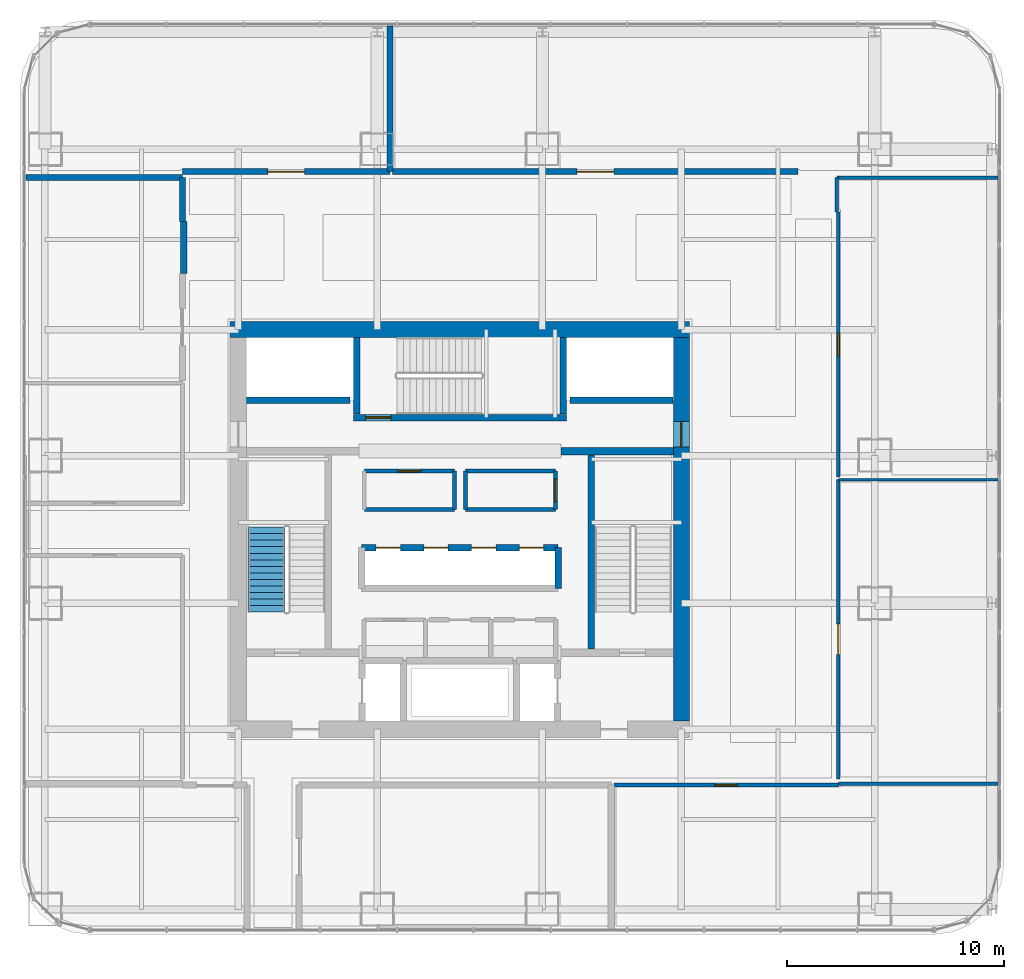
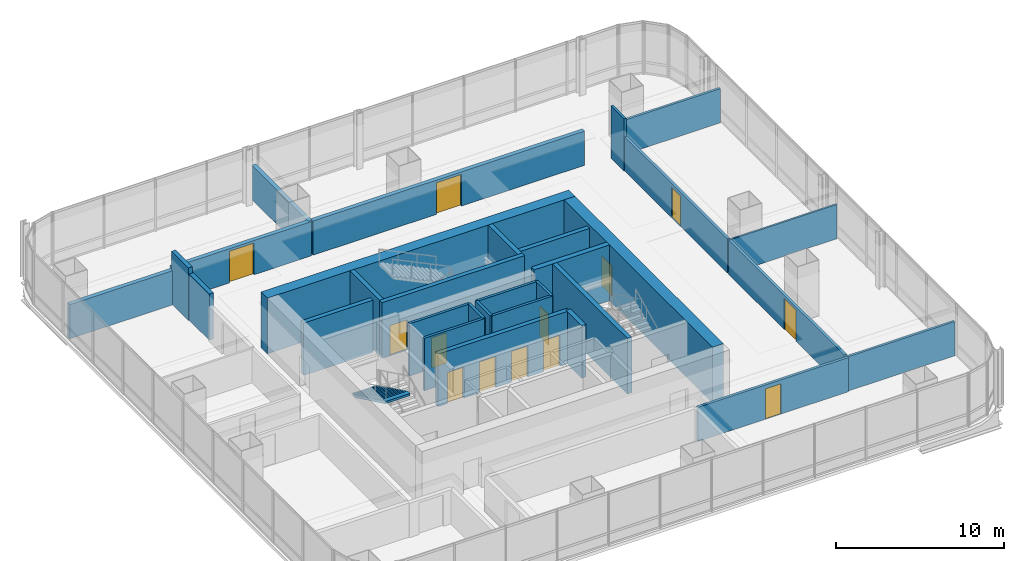
# One storey, part 28 of 34: 31 walls, 13 doors, 1 stair flight, 13 openings, 1 element without a shape of its own.
"""IFC4 building model written with IfcOpenShell, lengths in metres."""

import ifcopenshell
import ifcopenshell.guid

model = None  # the IFC model being written
_history = None  # IfcOwnerHistory: only IFC2X3 demands one
_inside = {}  # id of a spatial element -> (the spatial element, [elements in it])
_under = {}  # id of a project, library or spatial element -> (it, [spatial elements below it])
_declared = {}  # id of a project -> (the project, [libraries it declares])
_typed = {}  # id of a type object -> (the type object, [elements of that type])
_made_of = {}  # id of a material, layer set ... -> (it, [elements and type objects made of it])


def new_model(schema):
    """Start an empty IFC model of exactly this schema.

    Asked for "IFC4X3", IfcOpenShell would pick the latest addendum, in which some entities
    have other attributes; the version numbers below select the first issue.
    IFC2X3 requires an IfcOwnerHistory on every rooted entity: one is made here for all.
    """
    global model, _history
    if schema == "IFC4X3":
        model = ifcopenshell.file(schema_version=(4, 3, 0, 0))
    else:
        model = ifcopenshell.file(schema=schema)
    _inside.clear()
    _under.clear()
    _declared.clear()
    _typed.clear()
    _made_of.clear()
    _history = None
    if model.schema == "IFC2X3":
        org = make("IfcOrganization", Name="unknown")
        user = make(
            "IfcPersonAndOrganization",
            ThePerson=make("IfcPerson", FamilyName="unknown"),
            TheOrganization=org,
        )
        app = make(
            "IfcApplication",
            ApplicationDeveloper=org,
            Version="unknown",
            ApplicationFullName="unknown",
            ApplicationIdentifier="unknown",
        )
        _history = make(
            "IfcOwnerHistory",
            OwningUser=user,
            OwningApplication=app,
            ChangeAction="ADDED",
            CreationDate=0,
        )
    return model


def make(cls, **values):
    """One entity of the class cls with the attributes given. An attribute that is None is left unset."""
    return model.create_entity(
        cls, **{name: value for name, value in values.items() if value is not None}
    )


def rooted(cls, **values):
    """An entity with a GlobalId (a new one), such as an element, a storey or a relation."""
    return make(cls, GlobalId=ifcopenshell.guid.new(), OwnerHistory=_history, **values)


def si_unit(unit_type, name, prefix=None):
    """IfcSIUnit, for example si_unit("LENGTHUNIT", "METRE", prefix="MILLI")."""
    return make("IfcSIUnit", UnitType=unit_type, Prefix=prefix, Name=name)


def assignment(units):
    """IfcUnitAssignment: the units of a project."""
    return None if units is None else make("IfcUnitAssignment", Units=units)


def point(xyz):
    """IfcCartesianPoint."""
    return None if xyz is None else make("IfcCartesianPoint", Coordinates=xyz)


def direction(xyz):
    """IfcDirection."""
    return None if xyz is None else make("IfcDirection", DirectionRatios=xyz)


def frame(location, z_axis=None, x_axis=None):
    """IfcAxis2Placement3D, a coordinate frame: its origin and axes. An axis left out is left unset."""
    return make(
        "IfcAxis2Placement3D",
        Location=point(location),
        Axis=direction(z_axis),
        RefDirection=direction(x_axis),
    )


def frame_2d(location, x_axis=None):
    """IfcAxis2Placement2D, a coordinate frame in the plane: its origin and x axis."""
    return make(
        "IfcAxis2Placement2D", Location=point(location), RefDirection=direction(x_axis)
    )


def origin():
    """The frame at (0, 0, 0) with its axes left unset."""
    return frame((0.0, 0.0, 0.0))


def place(relative_to, where):
    """IfcLocalPlacement: puts the frame where relative to a parent placement (None: the world)."""
    return make(
        "IfcLocalPlacement", PlacementRelTo=relative_to, RelativePlacement=where
    )


def context(
    kind, dimensions, precision=None, world=None, true_north=None, identifier=None
):
    """IfcGeometricRepresentationContext, for example the 3D "Model" context."""
    return make(
        "IfcGeometricRepresentationContext",
        ContextIdentifier=identifier,
        ContextType=kind,
        CoordinateSpaceDimension=dimensions,
        Precision=precision,
        WorldCoordinateSystem=world,
        TrueNorth=true_north,
    )


def subcontext(parent, identifier, kind, view, scale=None):
    """IfcGeometricRepresentationSubContext, for example "Body" below "Model"."""
    return make(
        "IfcGeometricRepresentationSubContext",
        ContextIdentifier=identifier,
        ContextType=kind,
        ParentContext=parent,
        TargetScale=scale,
        TargetView=view,
    )


def project(units=None, contexts=None):
    """IfcProject with its units and contexts."""
    return rooted(
        "IfcProject",
        Name="project",
        RepresentationContexts=contexts,
        UnitsInContext=assignment(units),
    )


def spatial(cls, under=None, at=None, **own):
    """A site, building, storey or space (cls), placed at a placement, below another one or the project."""
    s = rooted(cls, ObjectPlacement=at, **own)
    if under is not None:
        _under.setdefault(under.id(), (under, []))[1].append(s)
    return s


def polyline(points):
    """IfcPolyline through the points."""
    return make("IfcPolyline", Points=[point(p) for p in points])


def profile(cls, at=None, kind="AREA", **sizes):
    """A parametric profile (cls). Its sizes go by their IFC names, for example OverallWidth=200.0."""
    return make(cls, ProfileType=kind, Position=at, **sizes)


def rectangle(**sizes):
    """IfcRectangleProfileDef."""
    return profile("IfcRectangleProfileDef", **sizes)


def outline(outer, holes=None, kind="AREA"):
    """IfcArbitraryClosedProfileDef: a profile drawn as a closed curve; with holes, ...WithVoids."""
    if holes is None:
        return make("IfcArbitraryClosedProfileDef", ProfileType=kind, OuterCurve=outer)
    return make(
        "IfcArbitraryProfileDefWithVoids",
        ProfileType=kind,
        OuterCurve=outer,
        InnerCurves=holes,
    )


def extrude(swept, where, along, depth):
    """IfcExtrudedAreaSolid: the profile swept, set in the frame where, extruded along a direction by depth."""
    return make(
        "IfcExtrudedAreaSolid",
        SweptArea=swept,
        Position=where,
        ExtrudedDirection=direction(along),
        Depth=depth,
    )


def shape(context_of_items, identifier, shape_type, items):
    """IfcShapeRepresentation: the items that make up one representation, for example the "Body"."""
    return make(
        "IfcShapeRepresentation",
        ContextOfItems=context_of_items,
        RepresentationIdentifier=identifier,
        RepresentationType=shape_type,
        Items=items,
    )


def material(Name=None, Category=None):
    """IfcMaterial."""
    return make("IfcMaterial", Name=Name, Category=Category)


def layer(
    of_material, thickness, ventilated=None, Name=None, Category=None, Priority=None
):
    """IfcMaterialLayer: one layer of a wall or slab, of a material (None: an air gap)."""
    return make(
        "IfcMaterialLayer",
        Material=of_material,
        LayerThickness=thickness,
        IsVentilated=ventilated,
        Name=Name,
        Category=Category,
        Priority=Priority,
    )


def layer_set(layers, Name=None):
    """IfcMaterialLayerSet."""
    return make("IfcMaterialLayerSet", MaterialLayers=layers, LayerSetName=Name)


def made_of(thing, what):
    """Note that an element or type object is made of a material, layer set ...; save() writes the relation."""
    if what is not None:
        _made_of.setdefault(what.id(), (what, []))[1].append(thing)
    return thing


def type_object(cls, material=None, **own):
    """A type object (cls), such as IfcWallType, which elements share."""
    return made_of(rooted(cls, **own), material)


def element(
    cls,
    number,
    at=None,
    inside=None,
    cuts=None,
    type_object=None,
    material=None,
    context=None,
    identifier="Body",
    shape_type=None,
    held_by="IfcProductDefinitionShape",
    body=None,
    shapes=None,
    **own,
):
    """One element of the class cls, such as IfcWall. Its Tag is "e" and its number.

    at: its placement. inside: the storey or other place that contains it. cuts: it is an
    opening in that element (IfcRelVoidsElement). A single representation is given by context,
    identifier, shape_type and body (its items); several are given by shapes. held_by: the class
    of the entity that holds the representations. save() writes the other relations.
    """
    e = rooted(cls, Tag="e%d" % number, ObjectPlacement=at, **own)
    if body is not None:
        shapes = [shape(context, identifier, shape_type, body)]
    if shapes is not None:
        e.Representation = make(held_by, Representations=shapes)
    if inside is not None:
        _inside.setdefault(inside.id(), (inside, []))[1].append(e)
    if cuts is not None:
        rooted(
            "IfcRelVoidsElement", RelatingBuildingElement=cuts, RelatedOpeningElement=e
        )
    if type_object is not None:
        _typed.setdefault(type_object.id(), (type_object, []))[1].append(e)
    return made_of(e, material)


def fill(opening, filler):
    """IfcRelFillsElement: the door or window that sits in an opening."""
    return rooted(
        "IfcRelFillsElement",
        RelatingOpeningElement=opening,
        RelatedBuildingElement=filler,
    )


def aggregate(whole, parts):
    """IfcRelAggregates: a whole, such as a stair, and the parts it consists of."""
    return rooted("IfcRelAggregates", RelatingObject=whole, RelatedObjects=parts)


def save(model, path):
    """Write the relations noted so far, then the file.

    IfcRelAggregates (storeys below a building ...), IfcRelContainedInSpatialStructure (elements
    in a storey), IfcRelDefinesByType, IfcRelAssociatesMaterial and IfcRelDeclares: one each for
    every whole, place, type object, material and project.
    """
    for whole, parts in _under.values():
        aggregate(whole, parts)
    for where, things in _inside.values():
        rooted(
            "IfcRelContainedInSpatialStructure",
            RelatedElements=things,
            RelatingStructure=where,
        )
    for kind, things in _typed.values():
        rooted("IfcRelDefinesByType", RelatedObjects=things, RelatingType=kind)
    for what, things in _made_of.values():
        rooted("IfcRelAssociatesMaterial", RelatedObjects=things, RelatingMaterial=what)
    for by, libraries in _declared.values():
        rooted("IfcRelDeclares", RelatingContext=by, RelatedDefinitions=libraries)
    model.write(path)


model = new_model("IFC4")

# Units and contexts
model_context = context("Model", 3, precision=1e-05, world=origin(), true_north=direction((0.0, 1.0)))
body_context = subcontext(model_context, "Body", "Model", "MODEL_VIEW")
ifc_project = project(units=[si_unit("LENGTHUNIT", "METRE"), si_unit("AREAUNIT", "SQUARE_METRE"), si_unit("VOLUMEUNIT", "CUBIC_METRE"), si_unit("PLANEANGLEUNIT", "RADIAN"), si_unit("MASSUNIT", "GRAM", prefix="KILO")], contexts=[model_context])

# Site, building, storey
site_placement = place(None, origin())
site = spatial("IfcSite", under=ifc_project, at=site_placement, CompositionType="ELEMENT")
building_placement = place(site_placement, origin())
building = spatial("IfcBuilding", under=site, at=building_placement, Name="Punatoya Terracotta Tower", CompositionType="ELEMENT")
storey_placement = place(building_placement, frame((0.0, 0.0, 105.14990234375)))
storey = spatial("IfcBuildingStorey", under=building, at=storey_placement, Name="L24", CompositionType="ELEMENT", Elevation=105.14990234375)

# Walls
ifc_material_1 = material(Name="Concrete C40/50", Category="concrete")
ifc_layer_1 = layer(ifc_material_1, 0.280029296875)
ifc_layer_set_1 = layer_set([ifc_layer_1], Name="Concrete C40/50")
wall_type_1 = type_object("IfcWallType", Name="WL-AUD-280", PredefinedType="SOLIDWALL", material=ifc_layer_set_1)
wall_1_placement = place(storey_placement, frame((-12.7099609375, 14.179931640625, 0.0), z_axis=(0.0, 0.0, 1.0), x_axis=(0.0, -1.0, 0.0)))
element("IfcWall", 1, at=wall_1_placement, inside=storey, type_object=wall_type_1, Name="L24 Waterfront Club Lounge Partition 34", PredefinedType="SOLIDWALL", context=body_context, shape_type="SweptSolid", body=[
    extrude(rectangle(XDim=2.409912109375, YDim=0.280029296875, at=frame_2d((1.205078125, 0.0))), origin(), (0.0, 0.0, 1.0), 3.35400390625),
])
wall_2_placement = place(storey_placement, frame((-19.969970703125, 16.18994140625, 0.0), z_axis=(0.0, 0.0, 1.0), x_axis=(1.0, 0.0, 0.0)))
element("IfcWall", 2, at=wall_2_placement, inside=storey, type_object=wall_type_1, Name="L24 Waterfront Club Lounge Partition 36", PredefinedType="SOLIDWALL", context=body_context, shape_type="SweptSolid", body=[
    extrude(rectangle(XDim=7.199951171875, YDim=0.280029296875, at=frame_2d((3.60009765625, 0.0))), origin(), (0.0, 0.0, 1.0), 2.484130859375),
])
wall_3_placement = place(storey_placement, frame((-12.77001953125, 16.18994140625, 0.0), z_axis=(0.0, 0.0, 1.0), x_axis=(0.0, -1.0, 0.0)))
element("IfcWall", 3, at=wall_3_placement, inside=storey, type_object=wall_type_1, Name="L24 Waterfront Club Lounge Partition 37", PredefinedType="SOLIDWALL", context=body_context, shape_type="SweptSolid", body=[
    extrude(rectangle(XDim=2.010009765625, YDim=0.280029296875, at=frame_2d((1.0048828125, 0.0))), origin(), (0.0, 0.0, 1.0), 3.81005859375),
])
wall_4_placement = place(storey_placement, frame((-3.216064453125, 23.169921875, 0.0), z_axis=(0.0, 0.0, 1.0), x_axis=(0.0, -1.0, 0.0)))
element("IfcWall", 4, at=wall_4_placement, inside=storey, type_object=wall_type_1, Name="L24 Open-Plan Terrace Refreshment Lounge Partition 38", PredefinedType="SOLIDWALL", context=body_context, shape_type="SweptSolid", body=[
    extrude(rectangle(XDim=6.699951171875, YDim=0.280029296875, at=frame_2d((3.35009765625, 0.0))), origin(), (0.0, 0.0, 1.0), 2.484130859375),
])

# Wall, opening, door
wall_5_placement = place(storey_placement, frame((-3.216064453125, 16.469970703125, 0.0), z_axis=(0.0, 0.0, 1.0), x_axis=(-1.0, 0.0, 0.0)))
wall_5 = element("IfcWall", 5, at=wall_5_placement, inside=storey, type_object=wall_type_1, Name="L24 Open-Plan Terrace Refreshment Lounge Partition 39", PredefinedType="SOLIDWALL", context=body_context, shape_type="SweptSolid", body=[
    extrude(rectangle(XDim=9.553955078125, YDim=0.280029296875, at=frame_2d((4.77685546875, 0.0))), origin(), (0.0, 0.0, 1.0), 2.484130859375),
])
opening_1_placement = place(wall_5_placement, frame((3.927001953125, 0.0, 0.0)))
opening_1 = element("IfcOpeningElement", 6, at=opening_1_placement, cuts=wall_5, Name="Opening FD-D1", PredefinedType="OPENING", context=body_context, shape_type="SweptSolid", body=[
    extrude(rectangle(XDim=1.699951171875, YDim=2.300048828125, at=frame_2d((0.85009765625, 1.14990234375))), frame((0.0, 0.14990234375, 0.0), z_axis=(0.0, -1.0, 0.0), x_axis=(1.0, 0.0, 0.0)), (0.0, 0.0, 1.0), 0.300048828125),
])
ifc_material_2 = material(Name="Timber Teak Veneer Fire Leaf", Category="wood")
door_type_1 = type_object("IfcDoorType", Name="DR-DIN-1700", OperationType="NOTDEFINED", PredefinedType="DOOR", material=ifc_material_2)
door_1_placement = place(opening_1_placement, origin())
door_1 = element("IfcDoor", 7, at=door_1_placement, inside=storey, type_object=door_type_1, Name="L24 Open-Plan Terrace Refreshment Lounge Fire Door", OperationType="DOUBLE_DOOR_SINGLE_SWING", OverallHeight=2.300048828125, OverallWidth=1.699951171875, PredefinedType="DOOR", context=body_context, shape_type="SweptSolid", body=[
    extrude(rectangle(XDim=1.699951171875, YDim=2.300048828125, at=frame_2d((0.85009765625, 1.14990234375))), frame((0.0, 0.02490234375, 0.0), z_axis=(0.0, -1.0, 0.0), x_axis=(1.0, 0.0, 0.0)), (0.0, 0.0, 1.0), 0.050048828125),
])
fill(opening_1, door_1)

wall_6_placement = place(storey_placement, frame((15.570068359375, 16.469970703125, 0.0), z_axis=(0.0, 0.0, 1.0), x_axis=(-1.0, 0.0, 0.0)))
wall_6 = element("IfcWall", 8, at=wall_6_placement, inside=storey, type_object=wall_type_1, Name="L24 Hospitality Hosting Lounge Partition 40", PredefinedType="SOLIDWALL", context=body_context, shape_type="SweptSolid", body=[
    extrude(rectangle(XDim=18.666015625, YDim=0.280029296875, at=frame_2d((9.3330078125, 0.0))), origin(), (0.0, 0.0, 1.0), 2.484130859375),
])
opening_2_placement = place(wall_6_placement, frame((8.48291015625, 0.0, 0.0)))
opening_2 = element("IfcOpeningElement", 9, at=opening_2_placement, cuts=wall_6, Name="Opening FD-D1", PredefinedType="OPENING", context=body_context, shape_type="SweptSolid", body=[
    extrude(rectangle(XDim=1.699951171875, YDim=2.300048828125, at=frame_2d((0.85009765625, 1.14990234375))), frame((0.0, 0.14990234375, 0.0), z_axis=(0.0, -1.0, 0.0), x_axis=(1.0, 0.0, 0.0)), (0.0, 0.0, 1.0), 0.300048828125),
])
door_2_placement = place(opening_2_placement, origin())
door_2 = element("IfcDoor", 10, at=door_2_placement, inside=storey, type_object=door_type_1, Name="L24 Hospitality Hosting Lounge Fire Door", OperationType="DOUBLE_DOOR_SINGLE_SWING", OverallHeight=2.300048828125, OverallWidth=1.699951171875, PredefinedType="DOOR", context=body_context, shape_type="SweptSolid", body=[
    extrude(rectangle(XDim=1.699951171875, YDim=2.300048828125, at=frame_2d((0.85009765625, 1.14990234375))), frame((0.0, 0.02490234375, 0.0), z_axis=(0.0, -1.0, 0.0), x_axis=(1.0, 0.0, 0.0)), (0.0, 0.0, 1.0), 0.050048828125),
])
fill(opening_2, door_2)

# Wall
ifc_material_3 = material(Name="Concrete C60/75", Category="concrete")
ifc_layer_2 = layer(ifc_material_3, 0.75)
ifc_layer_set_2 = layer_set([ifc_layer_2], Name="Concrete C60/75")
wall_type_2 = type_object("IfcWallType", Name="WL-COR-750", PredefinedType="SHEAR", material=ifc_layer_set_2)
wall_7_placement = place(storey_placement, frame((-10.574951171875, 9.199951171875, 0.0), z_axis=(0.0, 0.0, 1.0), x_axis=(1.0, 0.0, 0.0)))
element("IfcWall", 11, at=wall_7_placement, inside=storey, type_object=wall_type_2, Name="L24 Core Shear Wall N", PredefinedType="SHEAR", context=body_context, shape_type="SweptSolid", body=[
    extrude(rectangle(XDim=21.14990234375, YDim=0.75, at=frame_2d((10.574951171875, 0.0))), origin(), (0.0, 0.0, 1.0), 4.050048828125),
])

# Wall, opening, door
wall_8_placement = place(storey_placement, frame((10.199951171875, 8.824951171875, 0.0), z_axis=(0.0, 0.0, 1.0), x_axis=(0.0, -1.0, 0.0)))
wall_8 = element("IfcWall", 12, at=wall_8_placement, inside=storey, type_object=wall_type_2, Name="L24 Core Shear Wall E", PredefinedType="SHEAR", context=body_context, shape_type="SweptSolid", body=[
    extrude(rectangle(XDim=17.64990234375, YDim=0.75, at=frame_2d((8.824951171875, 0.0))), origin(), (0.0, 0.0, 1.0), 4.050048828125),
])
opening_3_placement = place(wall_8_placement, frame((3.85498046875, 0.0, 0.0)))
opening_3 = element("IfcOpeningElement", 13, at=opening_3_placement, cuts=wall_8, Name="Opening SD-01", PredefinedType="OPENING", context=body_context, shape_type="SweptSolid", body=[
    extrude(rectangle(XDim=1.179931640625, YDim=2.199951171875, at=frame_2d((0.58984375, 1.10009765625))), frame((0.0, 0.385009765625, 0.0), z_axis=(0.0, -1.0, 0.0), x_axis=(1.0, 0.0, 0.0)), (0.0, 0.0, 1.0), 0.77001953125),
])
ifc_material_4 = material(Name="Galvanised Steel Pressurized Stair Fire Door", Category="steel")
door_type_2 = type_object("IfcDoorType", Name="DR-STR-1180", OperationType="NOTDEFINED", PredefinedType="DOOR", material=ifc_material_4)
door_3_placement = place(opening_3_placement, origin())
door_3 = element("IfcDoor", 14, at=door_3_placement, inside=storey, type_object=door_type_2, Name="L24 Central Lift Lobby East Fire Door", OperationType="SINGLE_SWING_RIGHT", OverallHeight=2.199951171875, OverallWidth=1.179931640625, PredefinedType="DOOR", context=body_context, shape_type="SweptSolid", body=[
    extrude(rectangle(XDim=1.179931640625, YDim=2.199951171875, at=frame_2d((0.58984375, 1.10009765625))), frame((0.0, 0.02490234375, 0.0), z_axis=(0.0, -1.0, 0.0), x_axis=(1.0, 0.0, 0.0)), (0.0, 0.0, 1.0), 0.050048828125),
])
fill(opening_3, door_3)

# Wall
ifc_material_5 = material(Name="Gypsum Fireboard + Steel Stud", Category="steel")
ifc_layer_3 = layer(ifc_material_5, 0.179931640625)
ifc_layer_set_3 = layer_set([ifc_layer_3], Name="Gypsum Fireboard + Steel Stud")
wall_type_3 = type_object("IfcWallType", Name="WL-CORR-180", PredefinedType="PARTITIONING", material=ifc_layer_set_3)
wall_9_placement = place(storey_placement, frame((-0.25, 0.919921875, 0.0), z_axis=(0.0, 0.0, 1.0), x_axis=(0.0, 1.0, 0.0)))
element("IfcWall", 15, at=wall_9_placement, inside=storey, type_object=wall_type_3, Name="L24 West Core Focus Pod Partition 08", PredefinedType="PARTITIONING", context=body_context, shape_type="SweptSolid", body=[
    extrude(rectangle(XDim=1.760009765625, YDim=0.179931640625, at=frame_2d((0.8798828125, 0.0))), origin(), (0.0, 0.0, 1.0), 3.81005859375),
])

# Wall, opening, door
wall_10_placement = place(storey_placement, frame((-0.25, 2.679931640625, 0.0), z_axis=(0.0, 0.0, 1.0), x_axis=(-1.0, 0.0, 0.0)))
wall_10 = element("IfcWall", 16, at=wall_10_placement, inside=storey, type_object=wall_type_3, Name="L24 West Core Focus Pod Partition 09", PredefinedType="PARTITIONING", context=body_context, shape_type="SweptSolid", body=[
    extrude(rectangle(XDim=4.14990234375, YDim=0.179931640625, at=frame_2d((2.074951171875, 0.0))), origin(), (0.0, 0.0, 1.0), 3.81005859375),
])
opening_4_placement = place(wall_10_placement, frame((1.550048828125, 0.0, 0.0)))
opening_4 = element("IfcOpeningElement", 17, at=opening_4_placement, cuts=wall_10, Name="Opening OD-01", PredefinedType="OPENING", context=body_context, shape_type="SweptSolid", body=[
    extrude(rectangle(XDim=1.050048828125, YDim=2.199951171875, at=frame_2d((0.52490234375, 1.10009765625))), frame((0.0, 0.099853515625, 0.0), z_axis=(0.0, -1.0, 0.0), x_axis=(1.0, 0.0, 0.0)), (0.0, 0.0, 1.0), 0.199951171875),
])
ifc_material_6 = material(Name="Bengal Teak Solid-Core Leaf")
door_type_3 = type_object("IfcDoorType", Name="DR-OFF-1050", OperationType="NOTDEFINED", PredefinedType="DOOR", material=ifc_material_6)
door_4_placement = place(opening_4_placement, origin())
door_4 = element("IfcDoor", 18, at=door_4_placement, inside=storey, type_object=door_type_3, Name="L24 West Focus Pod Door", OperationType="SINGLE_SWING_LEFT", OverallHeight=2.199951171875, OverallWidth=1.050048828125, PredefinedType="DOOR", context=body_context, shape_type="SweptSolid", body=[
    extrude(rectangle(XDim=1.050048828125, YDim=2.199951171875, at=frame_2d((0.52490234375, 1.10009765625))), frame((0.0, 0.02490234375, 0.0), z_axis=(0.0, -1.0, 0.0), x_axis=(1.0, 0.0, 0.0)), (0.0, 0.0, 1.0), 0.050048828125),
])
fill(opening_4, door_4)

# Wall
wall_11_placement = place(storey_placement, frame((-4.39990234375, 0.919921875, 0.0), z_axis=(0.0, 0.0, 1.0), x_axis=(1.0, 0.0, 0.0)))
element("IfcWall", 19, at=wall_11_placement, inside=storey, type_object=wall_type_3, Name="L24 West Core Focus Pod Partition 11", PredefinedType="PARTITIONING", context=body_context, shape_type="SweptSolid", body=[
    extrude(rectangle(XDim=4.14990234375, YDim=0.179931640625, at=frame_2d((2.074951171875, 0.0))), origin(), (0.0, 0.0, 1.0), 3.81005859375),
])

# Wall, opening, door
wall_12_placement = place(storey_placement, frame((4.39990234375, 0.919921875, 0.0), z_axis=(0.0, 0.0, 1.0), x_axis=(0.0, 1.0, 0.0)))
wall_12 = element("IfcWall", 20, at=wall_12_placement, inside=storey, type_object=wall_type_3, Name="L24 East Core Wellness Room Partition 12", PredefinedType="PARTITIONING", context=body_context, shape_type="SweptSolid", body=[
    extrude(rectangle(XDim=1.760009765625, YDim=0.179931640625, at=frame_2d((0.8798828125, 0.0))), origin(), (0.0, 0.0, 1.0), 3.81005859375),
])
opening_5_placement = place(wall_12_placement, frame((0.35498046875, 0.0, 0.0)))
opening_5 = element("IfcOpeningElement", 21, at=opening_5_placement, cuts=wall_12, Name="Opening OD-01", PredefinedType="OPENING", context=body_context, shape_type="SweptSolid", body=[
    extrude(rectangle(XDim=1.050048828125, YDim=2.199951171875, at=frame_2d((0.52490234375, 1.10009765625))), frame((0.0, 0.099853515625, 0.0), z_axis=(0.0, -1.0, 0.0), x_axis=(1.0, 0.0, 0.0)), (0.0, 0.0, 1.0), 0.199951171875),
])
door_5_placement = place(opening_5_placement, origin())
door_5 = element("IfcDoor", 22, at=door_5_placement, inside=storey, type_object=door_type_3, Name="L24 East Wellness Room Door", OperationType="SINGLE_SWING_RIGHT", OverallHeight=2.199951171875, OverallWidth=1.050048828125, PredefinedType="DOOR", context=body_context, shape_type="SweptSolid", body=[
    extrude(rectangle(XDim=1.050048828125, YDim=2.199951171875, at=frame_2d((0.52490234375, 1.10009765625))), frame((0.0, 0.02490234375, 0.0), z_axis=(0.0, -1.0, 0.0), x_axis=(1.0, 0.0, 0.0)), (0.0, 0.0, 1.0), 0.050048828125),
])
fill(opening_5, door_5)

# Walls
wall_13_placement = place(storey_placement, frame((4.39990234375, 2.679931640625, 0.0), z_axis=(0.0, 0.0, 1.0), x_axis=(-1.0, 0.0, 0.0)))
element("IfcWall", 23, at=wall_13_placement, inside=storey, type_object=wall_type_3, Name="L24 East Core Wellness Room Partition 13", PredefinedType="PARTITIONING", context=body_context, shape_type="SweptSolid", body=[
    extrude(rectangle(XDim=4.14990234375, YDim=0.179931640625, at=frame_2d((2.074951171875, 0.0))), origin(), (0.0, 0.0, 1.0), 3.81005859375),
])
wall_14_placement = place(storey_placement, frame((0.25, 2.679931640625, 0.0), z_axis=(0.0, 0.0, 1.0), x_axis=(0.0, -1.0, 0.0)))
element("IfcWall", 24, at=wall_14_placement, inside=storey, type_object=wall_type_3, Name="L24 East Core Wellness Room Partition 14", PredefinedType="PARTITIONING", context=body_context, shape_type="SweptSolid", body=[
    extrude(rectangle(XDim=1.760009765625, YDim=0.179931640625, at=frame_2d((0.8798828125, 0.0))), origin(), (0.0, 0.0, 1.0), 3.81005859375),
])
wall_15_placement = place(storey_placement, frame((0.25, 0.919921875, 0.0), z_axis=(0.0, 0.0, 1.0), x_axis=(1.0, 0.0, 0.0)))
element("IfcWall", 25, at=wall_15_placement, inside=storey, type_object=wall_type_3, Name="L24 East Core Wellness Room Partition 15", PredefinedType="PARTITIONING", context=body_context, shape_type="SweptSolid", body=[
    extrude(rectangle(XDim=4.14990234375, YDim=0.179931640625, at=frame_2d((2.074951171875, 0.0))), origin(), (0.0, 0.0, 1.0), 3.81005859375),
])

# Wall, opening, door
wall_16_placement = place(storey_placement, frame((7.090087890625, -11.77001953125, 0.0), z_axis=(0.0, 0.0, 1.0), x_axis=(1.0, 0.0, 0.0)))
wall_16 = element("IfcWall", 26, at=wall_16_placement, inside=storey, type_object=wall_type_3, Name="L24 Open-Plan Catering Tea Pantry Partition 22", PredefinedType="PARTITIONING", context=body_context, shape_type="SweptSolid", body=[
    extrude(rectangle(XDim=10.329833984375, YDim=0.179931640625, at=frame_2d((5.1650390625, 0.0))), origin(), (0.0, 0.0, 1.0), 2.484130859375),
])
opening_6_placement = place(wall_16_placement, frame((4.639892578125, 0.0, 0.0)))
opening_6 = element("IfcOpeningElement", 27, at=opening_6_placement, cuts=wall_16, Name="Opening OD-01", PredefinedType="OPENING", context=body_context, shape_type="SweptSolid", body=[
    extrude(rectangle(XDim=1.050048828125, YDim=2.199951171875, at=frame_2d((0.52490234375, 1.10009765625))), frame((0.0, 0.099853515625, 0.0), z_axis=(0.0, -1.0, 0.0), x_axis=(1.0, 0.0, 0.0)), (0.0, 0.0, 1.0), 0.199951171875),
])
door_6_placement = place(opening_6_placement, origin())
door_6 = element("IfcDoor", 28, at=door_6_placement, inside=storey, type_object=door_type_3, Name="L24 Open-Plan Catering Tea Pantry Door", OperationType="SINGLE_SWING_LEFT", OverallHeight=2.199951171875, OverallWidth=1.050048828125, PredefinedType="DOOR", context=body_context, shape_type="SweptSolid", body=[
    extrude(rectangle(XDim=1.050048828125, YDim=2.199951171875, at=frame_2d((0.52490234375, 1.10009765625))), frame((0.0, 0.02490234375, 0.0), z_axis=(0.0, -1.0, 0.0), x_axis=(1.0, 0.0, 0.0)), (0.0, 0.0, 1.0), 0.050048828125),
])
fill(opening_6, door_6)

wall_17_placement = place(storey_placement, frame((17.419921875, -11.489990234375, 0.0), z_axis=(0.0, 0.0, 1.0), x_axis=(0.0, 1.0, 0.0)))
wall_17 = element("IfcWall", 29, at=wall_17_placement, inside=storey, type_object=wall_type_3, Name="L24 Open-Plan Private Dining Boardroom Partition 26", PredefinedType="PARTITIONING", context=body_context, shape_type="SweptSolid", body=[
    extrude(rectangle(XDim=13.780029296875, YDim=0.179931640625, at=frame_2d((6.89013671875, 0.0))), origin(), (0.0, 0.0, 1.0), 2.484130859375),
])
opening_7_placement = place(wall_17_placement, frame((5.739990234375, 0.0, 0.0)))
opening_7 = element("IfcOpeningElement", 30, at=opening_7_placement, cuts=wall_17, Name="Opening BD-01", PredefinedType="OPENING", context=body_context, shape_type="SweptSolid", body=[
    extrude(rectangle(XDim=1.39990234375, YDim=2.25, at=frame_2d((0.699951171875, 1.125))), frame((0.0, 0.099853515625, 0.0), z_axis=(0.0, -1.0, 0.0), x_axis=(1.0, 0.0, 0.0)), (0.0, 0.0, 1.0), 0.199951171875),
])
ifc_material_7 = material(Name="Bengal Teak Acoustic Leaf")
door_type_4 = type_object("IfcDoorType", Name="DR-BRD-1400", OperationType="NOTDEFINED", PredefinedType="DOOR", material=ifc_material_7)
door_7_placement = place(opening_7_placement, origin())
door_7 = element("IfcDoor", 31, at=door_7_placement, inside=storey, type_object=door_type_4, Name="L24 Open-Plan Private Dining Boardroom Door", OperationType="SINGLE_SWING_LEFT", OverallHeight=2.25, OverallWidth=1.39990234375, PredefinedType="DOOR", context=body_context, shape_type="SweptSolid", body=[
    extrude(rectangle(XDim=1.39990234375, YDim=2.25, at=frame_2d((0.699951171875, 1.125))), frame((0.0, 0.02490234375, 0.0), z_axis=(0.0, -1.0, 0.0), x_axis=(1.0, 0.0, 0.0)), (0.0, 0.0, 1.0), 0.050048828125),
])
fill(opening_7, door_7)

wall_18_placement = place(storey_placement, frame((17.419921875, 2.409912109375, 0.0), z_axis=(0.0, 0.0, 1.0), x_axis=(0.0, 1.0, 0.0)))
wall_18 = element("IfcWall", 32, at=wall_18_placement, inside=storey, type_object=wall_type_3, Name="L24 Open-Plan Barista Espresso Pantry Partition 31", PredefinedType="PARTITIONING", context=body_context, shape_type="SweptSolid", body=[
    extrude(rectangle(XDim=12.210205078125, YDim=0.179931640625, at=frame_2d((6.10498046875, 0.0))), origin(), (0.0, 0.0, 1.0), 2.484130859375),
])
opening_8_placement = place(wall_18_placement, frame((5.580078125, 0.0, 0.0)))
opening_8 = element("IfcOpeningElement", 33, at=opening_8_placement, cuts=wall_18, Name="Opening OD-01", PredefinedType="OPENING", context=body_context, shape_type="SweptSolid", body=[
    extrude(rectangle(XDim=1.050048828125, YDim=2.199951171875, at=frame_2d((0.52490234375, 1.10009765625))), frame((0.0, 0.099853515625, 0.0), z_axis=(0.0, -1.0, 0.0), x_axis=(1.0, 0.0, 0.0)), (0.0, 0.0, 1.0), 0.199951171875),
])
door_8_placement = place(opening_8_placement, origin())
door_8 = element("IfcDoor", 34, at=door_8_placement, inside=storey, type_object=door_type_3, Name="L24 Open-Plan Barista Espresso Pantry Door", OperationType="SINGLE_SWING_LEFT", OverallHeight=2.199951171875, OverallWidth=1.050048828125, PredefinedType="DOOR", context=body_context, shape_type="SweptSolid", body=[
    extrude(rectangle(XDim=1.050048828125, YDim=2.199951171875, at=frame_2d((0.52490234375, 1.10009765625))), frame((0.0, 0.02490234375, 0.0), z_axis=(0.0, -1.0, 0.0), x_axis=(1.0, 0.0, 0.0)), (0.0, 0.0, 1.0), 0.050048828125),
])
fill(opening_8, door_8)

# Walls
ifc_material_8 = material(Name="Gypsum Partition + Steel Stud", Category="steel")
ifc_layer_4 = layer(ifc_material_8, 0.1201171875)
ifc_layer_set_4 = layer_set([ifc_layer_4], Name="Gypsum Partition + Steel Stud")
wall_type_4 = type_object("IfcWallType", Name="WL-OFF-120", PredefinedType="PARTITIONING", material=ifc_layer_set_4)
wall_19_placement = place(storey_placement, frame((17.419921875, 2.2900390625, 0.0), z_axis=(0.0, 0.0, 1.0), x_axis=(1.0, 0.0, 0.0)))
element("IfcWall", 35, at=wall_19_placement, inside=storey, type_object=wall_type_4, Name="L24 Open-Plan Private Dining Boardroom Partition 27", PredefinedType="PARTITIONING", context=body_context, shape_type="SweptSolid", body=[
    extrude(rectangle(XDim=7.35009765625, YDim=0.1201171875, at=frame_2d((3.675048828125, 0.0))), origin(), (0.0, 0.0, 1.0), 2.484130859375),
])
ifc_layer_5 = layer(ifc_material_1, 0.300048828125)
ifc_layer_set_5 = layer_set([ifc_layer_5], Name="Concrete C40/50")
wall_type_5 = type_object("IfcWallType", Name="WL-SHF-300", PredefinedType="SOLIDWALL", material=ifc_layer_set_5)
wall_20_placement = place(storey_placement, frame((6.050048828125, 3.449951171875, 0.0), z_axis=(0.0, 0.0, 1.0), x_axis=(0.0, -1.0, 0.0)))
element("IfcWall", 36, at=wall_20_placement, inside=storey, type_object=wall_type_5, Name="L24 Structural Stair Shaft Wall SW-ST2-W", PredefinedType="SOLIDWALL", context=body_context, shape_type="SweptSolid", body=[
    extrude(rectangle(XDim=8.949951171875, YDim=0.300048828125, at=frame_2d((4.47509765625, 0.0))), origin(), (0.0, 0.0, 1.0), 4.050048828125),
])
for number, where, z_axis, x_axis, name in (
    (37, (-4.75, 5.300048828125, 0.0), (0.0, 0.0, 1.0), (0.0, 1.0, 0.0), "L24 Structural Stair Shaft Wall SW-ST3-W"),
    (38, (4.75, 8.824951171875, 0.0), (0.0, 0.0, 1.0), (0.0, -1.0, 0.0), "L24 Structural Stair Shaft Wall SW-ST3-E"),
):
    element("IfcWall", number, at=place(storey_placement, frame(where, z_axis=z_axis, x_axis=x_axis)), inside=storey, type_object=wall_type_5, Name=name, PredefinedType="SOLIDWALL", context=body_context, shape_type="SweptSolid", body=[
        extrude(rectangle(XDim=3.52490234375, YDim=0.300048828125, at=frame_2d((1.762451171875, 0.0))), origin(), (0.0, 0.0, 1.0), 4.050048828125),
    ])

# Wall, opening, door
wall_21_placement = place(storey_placement, frame((-4.89990234375, 5.14990234375, 0.0), z_axis=(0.0, 0.0, 1.0), x_axis=(1.0, 0.0, 0.0)))
wall_21 = element("IfcWall", 39, at=wall_21_placement, inside=storey, type_object=wall_type_5, Name="L24 Structural Stair Shaft Wall SW-ST3-S", PredefinedType="SOLIDWALL", context=body_context, shape_type="SweptSolid", body=[
    extrude(rectangle(XDim=9.7998046875, YDim=0.300048828125, at=frame_2d((4.89990234375, 0.0))), origin(), (0.0, 0.0, 1.0), 4.050048828125),
])
opening_9_placement = place(wall_21_placement, frame((0.56005859375, 0.0, 0.0)))
opening_9 = element("IfcOpeningElement", 40, at=opening_9_placement, cuts=wall_21, Name="Opening SD-01", PredefinedType="OPENING", context=body_context, shape_type="SweptSolid", body=[
    extrude(rectangle(XDim=1.179931640625, YDim=2.199951171875, at=frame_2d((0.58984375, 1.10009765625))), frame((0.0, 0.159912109375, 0.0), z_axis=(0.0, -1.0, 0.0), x_axis=(1.0, 0.0, 0.0)), (0.0, 0.0, 1.0), 0.320068359375),
])
door_9_placement = place(opening_9_placement, origin())
door_9 = element("IfcDoor", 41, at=door_9_placement, inside=storey, type_object=door_type_2, Name="L24 Stair ST-3 Core Lobby Fire Door", OperationType="SINGLE_SWING_LEFT", OverallHeight=2.199951171875, OverallWidth=1.179931640625, PredefinedType="DOOR", context=body_context, shape_type="SweptSolid", body=[
    extrude(rectangle(XDim=1.179931640625, YDim=2.199951171875, at=frame_2d((0.58984375, 1.10009765625))), frame((0.0, 0.02490234375, 0.0), z_axis=(0.0, -1.0, 0.0), x_axis=(1.0, 0.0, 0.0)), (0.0, 0.0, 1.0), 0.050048828125),
])
fill(opening_9, door_9)

# Wall, openings, doors
wall_22_placement = place(storey_placement, frame((-4.52001953125, -0.840087890625, 0.0), z_axis=(0.0, 0.0, 1.0), x_axis=(1.0, 0.0, 0.0)))
wall_22 = element("IfcWall", 42, at=wall_22_placement, inside=storey, type_object=wall_type_5, Name="L24 South Lift Bank Front Shaft Wall", PredefinedType="SOLIDWALL", context=body_context, shape_type="SweptSolid", body=[
    extrude(rectangle(XDim=9.0400390625, YDim=0.300048828125, at=frame_2d((4.52001953125, 0.0))), origin(), (0.0, 0.0, 1.0), 3.81005859375),
])
opening_10_placement = place(wall_22_placement, frame((0.659912109375, 0.0, 0.0)))
opening_10 = element("IfcOpeningElement", 43, at=opening_10_placement, cuts=wall_22, Name="Opening LD-02", PredefinedType="OPENING", context=body_context, shape_type="SweptSolid", body=[
    extrude(rectangle(XDim=1.1201171875, YDim=2.25, at=frame_2d((0.56005859375, 1.125))), frame((0.0, 0.159912109375, 0.0), z_axis=(0.0, -1.0, 0.0), x_axis=(1.0, 0.0, 0.0)), (0.0, 0.0, 1.0), 0.320068359375),
])
opening_11_placement = place(wall_22_placement, frame((2.860107421875, 0.0, 0.0)))
opening_11 = element("IfcOpeningElement", 44, at=opening_11_placement, cuts=wall_22, Name="Opening LD-02", PredefinedType="OPENING", context=body_context, shape_type="SweptSolid", body=[
    extrude(rectangle(XDim=1.1201171875, YDim=2.25, at=frame_2d((0.56005859375, 1.125))), frame((0.0, 0.159912109375, 0.0), z_axis=(0.0, -1.0, 0.0), x_axis=(1.0, 0.0, 0.0)), (0.0, 0.0, 1.0), 0.320068359375),
])
opening_12_placement = place(wall_22_placement, frame((5.06005859375, 0.0, 0.0)))
opening_12 = element("IfcOpeningElement", 45, at=opening_12_placement, cuts=wall_22, Name="Opening LD-02", PredefinedType="OPENING", context=body_context, shape_type="SweptSolid", body=[
    extrude(rectangle(XDim=1.1201171875, YDim=2.25, at=frame_2d((0.56005859375, 1.125))), frame((0.0, 0.159912109375, 0.0), z_axis=(0.0, -1.0, 0.0), x_axis=(1.0, 0.0, 0.0)), (0.0, 0.0, 1.0), 0.320068359375),
])
opening_13_placement = place(wall_22_placement, frame((7.260009765625, 0.0, 0.0)))
opening_13 = element("IfcOpeningElement", 46, at=opening_13_placement, cuts=wall_22, Name="Opening LD-02", PredefinedType="OPENING", context=body_context, shape_type="SweptSolid", body=[
    extrude(rectangle(XDim=1.1201171875, YDim=2.25, at=frame_2d((0.56005859375, 1.125))), frame((0.0, 0.159912109375, 0.0), z_axis=(0.0, -1.0, 0.0), x_axis=(1.0, 0.0, 0.0)), (0.0, 0.0, 1.0), 0.320068359375),
])
ifc_material_9 = material(Name="Stainless Steel Lift Landing Door", Category="steel")
door_type_5 = type_object("IfcDoorType", Name="DR-LND-1120", OperationType="NOTDEFINED", PredefinedType="DOOR", material=ifc_material_9)
door_10_placement = place(opening_10_placement, origin())
door_10 = element("IfcDoor", 47, at=door_10_placement, inside=storey, type_object=door_type_5, Name="L24 Lift PL-L1 Sliding Landing Door", OperationType="DOUBLE_DOOR_SLIDING", OverallHeight=2.25, OverallWidth=1.1201171875, PredefinedType="DOOR", context=body_context, shape_type="SweptSolid", body=[
    extrude(rectangle(XDim=1.1201171875, YDim=2.25, at=frame_2d((0.56005859375, 1.125))), frame((0.0, 0.02490234375, 0.0), z_axis=(0.0, -1.0, 0.0), x_axis=(1.0, 0.0, 0.0)), (0.0, 0.0, 1.0), 0.050048828125),
])
fill(opening_10, door_10)
door_11_placement = place(opening_11_placement, origin())
door_11 = element("IfcDoor", 48, at=door_11_placement, inside=storey, type_object=door_type_5, Name="L24 Lift PL-L2 Sliding Landing Door", OperationType="DOUBLE_DOOR_SLIDING", OverallHeight=2.25, OverallWidth=1.1201171875, PredefinedType="DOOR", context=body_context, shape_type="SweptSolid", body=[
    extrude(rectangle(XDim=1.1201171875, YDim=2.25, at=frame_2d((0.56005859375, 1.125))), frame((0.0, 0.02490234375, 0.0), z_axis=(0.0, -1.0, 0.0), x_axis=(1.0, 0.0, 0.0)), (0.0, 0.0, 1.0), 0.050048828125),
])
fill(opening_11, door_11)
door_12_placement = place(opening_12_placement, origin())
door_12 = element("IfcDoor", 49, at=door_12_placement, inside=storey, type_object=door_type_5, Name="L24 Lift PL-L3 Sliding Landing Door", OperationType="DOUBLE_DOOR_SLIDING", OverallHeight=2.25, OverallWidth=1.1201171875, PredefinedType="DOOR", context=body_context, shape_type="SweptSolid", body=[
    extrude(rectangle(XDim=1.1201171875, YDim=2.25, at=frame_2d((0.56005859375, 1.125))), frame((0.0, 0.02490234375, 0.0), z_axis=(0.0, -1.0, 0.0), x_axis=(1.0, 0.0, 0.0)), (0.0, 0.0, 1.0), 0.050048828125),
])
fill(opening_12, door_12)
door_13_placement = place(opening_13_placement, origin())
door_13 = element("IfcDoor", 50, at=door_13_placement, inside=storey, type_object=door_type_5, Name="L24 Lift PL-L4 Sliding Landing Door", OperationType="DOUBLE_DOOR_SLIDING", OverallHeight=2.25, OverallWidth=1.1201171875, PredefinedType="DOOR", context=body_context, shape_type="SweptSolid", body=[
    extrude(rectangle(XDim=1.1201171875, YDim=2.25, at=frame_2d((0.56005859375, 1.125))), frame((0.0, 0.02490234375, 0.0), z_axis=(0.0, -1.0, 0.0), x_axis=(1.0, 0.0, 0.0)), (0.0, 0.0, 1.0), 0.050048828125),
])
fill(opening_13, door_13)

# Walls
wall_23_placement = place(storey_placement, frame((4.52001953125, -2.719970703125, 0.0), z_axis=(0.0, 0.0, 1.0), x_axis=(0.0, 1.0, 0.0)))
element("IfcWall", 51, at=wall_23_placement, inside=storey, type_object=wall_type_5, Name="L24 South Lift Bank East End Wall", PredefinedType="SOLIDWALL", context=body_context, shape_type="SweptSolid", body=[
    extrude(rectangle(XDim=1.8798828125, YDim=0.300048828125, at=frame_2d((0.93994140625, 0.0))), origin(), (0.0, 0.0, 1.0), 3.81005859375),
])
for number, where, z_axis, x_axis, name in (
    (52, (-9.820068359375, 5.949951171875, 0.0), (0.0, 0.0, 1.0), (1.0, 0.0, 0.0), "L24 Shuttle SL-1 South Hoistway Wall"),
    (53, (5.06005859375, 5.949951171875, 0.0), (0.0, 0.0, 1.0), (1.0, 0.0, 0.0), "L24 Shuttle SL-2 South Hoistway Wall"),
):
    element("IfcWall", number, at=place(storey_placement, frame(where, z_axis=z_axis, x_axis=x_axis)), inside=storey, type_object=wall_type_5, Name=name, PredefinedType="SOLIDWALL", context=body_context, shape_type="SweptSolid", body=[
        extrude(rectangle(XDim=4.760009765625, YDim=0.300048828125, at=frame_2d((2.3798828125, 0.0))), origin(), (0.0, 0.0, 1.0), 3.81005859375),
    ])
ifc_material_10 = material(Name="Concrete C50/60", Category="concrete")
ifc_layer_6 = layer(ifc_material_10, 0.35009765625)
ifc_layer_set_6 = layer_set([ifc_layer_6], Name="Concrete C50/60")
wall_type_6 = type_object("IfcWallType", Name="WL-SHF-350", PredefinedType="SOLIDWALL", material=ifc_layer_set_6)
wall_24_placement = place(storey_placement, frame((4.64990234375, 3.60009765625, 0.0), z_axis=(0.0, 0.0, 1.0), x_axis=(1.0, 0.0, 0.0)))
element("IfcWall", 54, at=wall_24_placement, inside=storey, type_object=wall_type_6, Name="L24 Core Web Wall CNW-R", PredefinedType="SOLIDWALL", context=body_context, shape_type="SweptSolid", body=[
    extrude(rectangle(XDim=5.175048828125, YDim=0.35009765625, at=frame_2d((2.58740234375, 0.0))), origin(), (0.0, 0.0, 1.0), 4.050048828125),
])
ifc_material_11 = material(Name="Masonry Blockwork + Ceramic Tile", Category="masonry")
ifc_layer_7 = layer(ifc_material_11, 0.159912109375)
ifc_layer_set_7 = layer_set([ifc_layer_7], Name="Masonry Blockwork + Ceramic Tile")
wall_type_7 = type_object("IfcWallType", Name="WL-WET-160", PredefinedType="PARTITIONING", material=ifc_layer_set_7)
wall_25_placement = place(storey_placement, frame((17.419921875, -11.7099609375, 0.0), z_axis=(0.0, 0.0, 1.0), x_axis=(1.0, 0.0, 0.0)))
element("IfcWall", 55, at=wall_25_placement, inside=storey, type_object=wall_type_7, Name="L24 Open-Plan Catering Tea Pantry Partition 23", PredefinedType="PARTITIONING", context=body_context, shape_type="SweptSolid", body=[
    extrude(rectangle(XDim=7.35009765625, YDim=0.159912109375, at=frame_2d((3.675048828125, 0.0))), origin(), (0.0, 0.0, 1.0), 2.484130859375),
])
wall_26_placement = place(storey_placement, frame((17.360107421875, 14.6201171875, 0.0), z_axis=(0.0, 0.0, 1.0), x_axis=(0.0, 1.0, 0.0)))
element("IfcWall", 56, at=wall_26_placement, inside=storey, type_object=wall_type_7, Name="L24 Open-Plan Barista Espresso Pantry Partition 32", PredefinedType="PARTITIONING", context=body_context, shape_type="SweptSolid", body=[
    extrude(rectangle(XDim=1.56982421875, YDim=0.159912109375, at=frame_2d((0.784912109375, 0.0))), origin(), (0.0, 0.0, 1.0), 3.81005859375),
])
wall_27_placement = place(storey_placement, frame((17.360107421875, 16.18994140625, 0.0), z_axis=(0.0, 0.0, 1.0), x_axis=(1.0, 0.0, 0.0)))
element("IfcWall", 57, at=wall_27_placement, inside=storey, type_object=wall_type_7, Name="L24 Open-Plan Barista Espresso Pantry Partition 33", PredefinedType="PARTITIONING", context=body_context, shape_type="SweptSolid", body=[
    extrude(rectangle(XDim=7.409912109375, YDim=0.159912109375, at=frame_2d((3.705078125, 0.0))), origin(), (0.0, 0.0, 1.0), 2.484130859375),
])

# Stair, stair flight
stair_type = type_object("IfcStairType", Name="STR-CORE-1550", PredefinedType="HALF_TURN_STAIR", material=ifc_material_1)
stair_placement = place(storey_placement, origin())
stair = element("IfcStair", 58, at=stair_placement, inside=storey, type_object=stair_type, Name="L24 Protected Core Exit Stair ST-1", PredefinedType="HALF_TURN_STAIR")
stair_flight_type = type_object("IfcStairFlightType", Name="SFL-CORE-1550", PredefinedType="STRAIGHT", material=ifc_material_1)
stair_flight_placement = place(storey_placement, frame((-8.89990234375, 0.10009765625, 2.025146484375), z_axis=(0.0, 0.0, 1.0), x_axis=(0.0, -1.0, 0.0)))
stair_flight = element("IfcStairFlight", 59, at=stair_flight_placement, type_object=stair_flight_type, Name="ST-1 flight 2", NumberOfRisers=14, NumberOfTreads=13, PredefinedType="STRAIGHT", RiserHeight=0.144642857, TreadLength=0.3, context=body_context, shape_type="SweptSolid", body=[
    extrude(outline(polyline([(0.0, 0.0), (0.0, 0.14453125), (0.300048828125, 0.14453125), (0.300048828125, 0.289306640625), (0.60009765625, 0.289306640625), (0.60009765625, 0.433837890625), (0.89990234375, 0.433837890625), (0.89990234375, 0.57861328125), (1.199951171875, 0.57861328125), (1.199951171875, 0.72314453125), (1.5, 0.72314453125), (1.5, 0.867919921875), (1.800048828125, 0.867919921875), (1.800048828125, 1.012451171875), (2.10009765625, 1.012451171875), (2.10009765625, 1.1572265625), (2.39990234375, 1.1572265625), (2.39990234375, 1.3017578125), (2.699951171875, 1.3017578125), (2.699951171875, 1.446533203125), (3.0, 1.446533203125), (3.0, 1.591064453125), (3.300048828125, 1.591064453125), (3.300048828125, 1.735595703125), (3.60009765625, 1.735595703125), (3.60009765625, 1.88037109375), (3.89990234375, 1.88037109375), (3.89990234375, 2.02490234375), (3.89990234375, 1.7138671875), (0.34521484375, 0.0), (0.0, 0.0)])), frame((0.0, 0.85009765625, 0.0), z_axis=(0.0, -1.0, 0.0), x_axis=(1.0, 0.0, 0.0)), (0.0, 0.0, 1.0), 1.699951171875),
])
aggregate(stair, [stair_flight])

save(model, "model.ifc")
